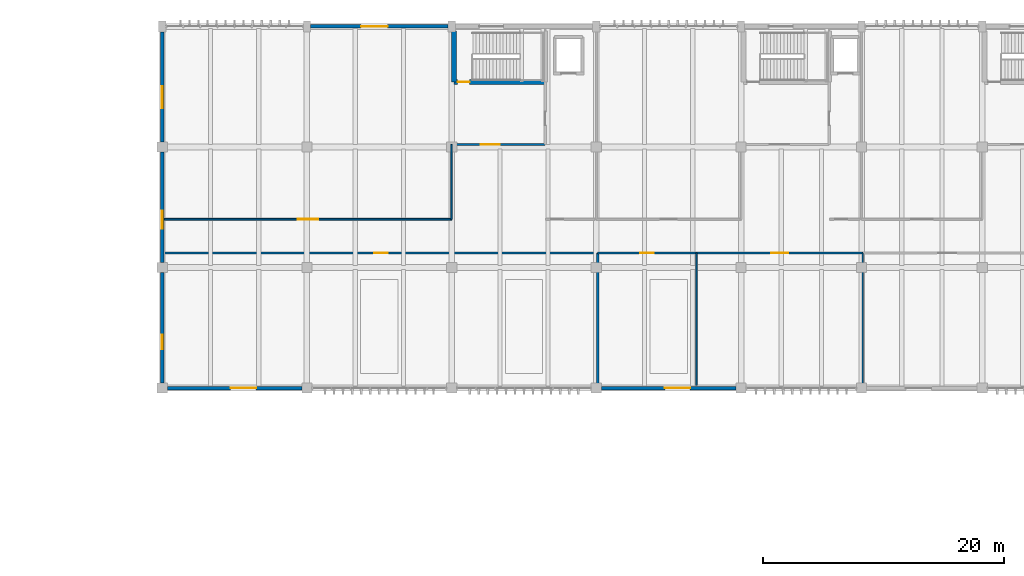
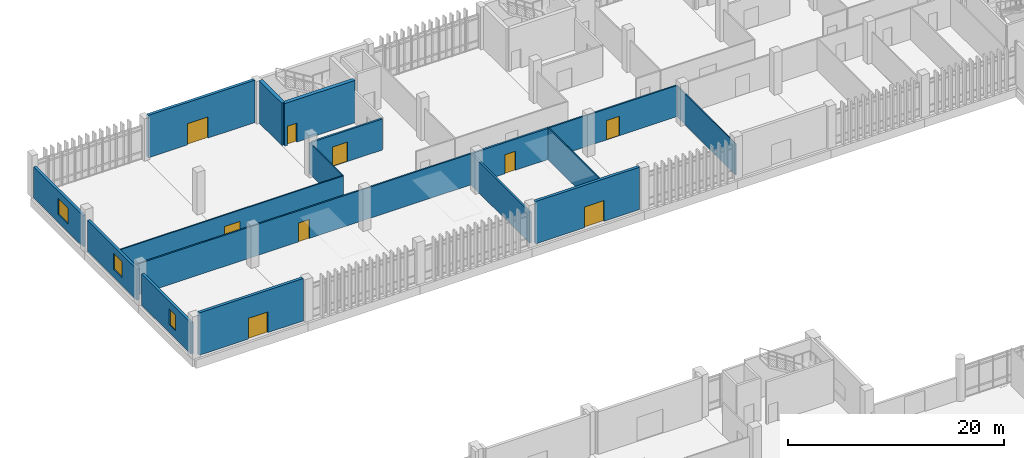
# One storey, part 73 of 87: 17 walls, 9 doors, 3 windows, 12 openings.
"""IFC4 building model written with IfcOpenShell, lengths in metres."""

from ifc_helpers import new_model, si_unit, direction, frame, frame_2d, origin, place, context, subcontext, project, spatial, rectangle, extrude, material, layer, layer_set, type_object, element, fill, save


model = new_model("IFC4")

# Units and contexts
model_context = context("Model", 3, precision=1e-05, world=origin(), true_north=direction((0.0, 1.0)))
body_context = subcontext(model_context, "Body", "Model", "MODEL_VIEW")
ifc_project = project(units=[si_unit("LENGTHUNIT", "METRE"), si_unit("AREAUNIT", "SQUARE_METRE"), si_unit("VOLUMEUNIT", "CUBIC_METRE"), si_unit("PLANEANGLEUNIT", "RADIAN"), si_unit("MASSUNIT", "GRAM", prefix="KILO")], contexts=[model_context])

# Site, building, storey
site_placement = place(None, origin())
site = spatial("IfcSite", under=ifc_project, at=site_placement, CompositionType="ELEMENT")
building_placement = place(site_placement, origin())
building = spatial("IfcBuilding", under=site, at=building_placement, Name="Mersad Railyard Sports Hall", CompositionType="ELEMENT")
storey_placement = place(building_placement, origin())
storey = spatial("IfcBuildingStorey", under=building, at=storey_placement, Name="L00", CompositionType="ELEMENT", Elevation=0.0)

# Wall, opening, door
ifc_material_1 = material(Name="Architectural concrete C40/50", Category="concrete")
ifc_layer_1 = layer(ifc_material_1, 0.300048828125)
ifc_layer_set_1 = layer_set([ifc_layer_1], Name="Architectural concrete C40/50")
wall_type_1 = type_object("IfcWallType", Name="ARC-WL-EW01", PredefinedType="SOLIDWALL", material=ifc_layer_set_1)
wall_1_placement = place(storey_placement, frame((55.300048828125, 115.0, 0.0), z_axis=(0.0, 0.0, 1.0), x_axis=(1.0, 0.0, 0.0)))
wall_1 = element("IfcWall", 1, at=wall_1_placement, inside=storey, type_object=wall_type_1, Name="External wall EW01-0097", PredefinedType="SOLIDWALL", context=body_context, shape_type="SweptSolid", body=[
    extrude(rectangle(XDim=11.39990234375, YDim=0.300048828125, at=frame_2d((5.699951171875, 0.0))), origin(), (0.0, 0.0, 1.0), 4.800048828125),
])
opening_1_placement = place(wall_1_placement, frame((4.199951171875, 0.0, 0.0)))
opening_1 = element("IfcOpeningElement", 2, at=opening_1_placement, cuts=wall_1, Name="Opening ED01", PredefinedType="OPENING", context=body_context, shape_type="SweptSolid", body=[
    extrude(rectangle(XDim=2.199951171875, YDim=2.39990234375, at=frame_2d((1.10009765625, 1.199951171875))), frame((0.0, 0.159912109375, 0.0), z_axis=(0.0, -1.0, 0.0), x_axis=(1.0, 0.0, 0.0)), (0.0, 0.0, 1.0), 0.320068359375),
])
ifc_material_2 = material(Name="Aluminium 6063-T6", Category="aluminium")
door_type_1 = type_object("IfcDoorType", Name="ARC-DR-ED01", OperationType="NOTDEFINED", PredefinedType="DOOR", material=ifc_material_2)
door_1_placement = place(opening_1_placement, origin())
door_1 = element("IfcDoor", 3, at=door_1_placement, inside=storey, type_object=door_type_1, Name="North gym exit door ED01-031", OperationType="DOUBLE_DOOR_SINGLE_SWING", OverallHeight=2.39990234375, OverallWidth=2.199951171875, PredefinedType="DOOR", context=body_context, shape_type="SweptSolid", body=[
    extrude(rectangle(XDim=2.199951171875, YDim=2.39990234375, at=frame_2d((1.10009765625, 1.199951171875))), frame((0.0, 0.02490234375, 0.0), z_axis=(0.0, -1.0, 0.0), x_axis=(1.0, 0.0, 0.0)), (0.0, 0.0, 1.0), 0.050048828125),
])
fill(opening_1, door_1)

wall_2_placement = place(storey_placement, frame((54.574951171875, 85.0, 0.0), z_axis=(0.0, 0.0, 1.0), x_axis=(-1.0, 0.0, 0.0)))
wall_2 = element("IfcWall", 4, at=wall_2_placement, inside=storey, type_object=wall_type_1, Name="External wall EW01-0103", PredefinedType="SOLIDWALL", context=body_context, shape_type="SweptSolid", body=[
    extrude(rectangle(XDim=11.14990234375, YDim=0.300048828125, at=frame_2d((5.574951171875, 0.0))), origin(), (0.0, 0.0, 1.0), 4.800048828125),
])
opening_2_placement = place(wall_2_placement, frame((3.800048828125, 0.0, 0.0)))
opening_2 = element("IfcOpeningElement", 5, at=opening_2_placement, cuts=wall_2, Name="Opening ED02", PredefinedType="OPENING", context=body_context, shape_type="SweptSolid", body=[
    extrude(rectangle(XDim=2.10009765625, YDim=2.35009765625, at=frame_2d((1.050048828125, 1.175048828125))), frame((0.0, 0.159912109375, 0.0), z_axis=(0.0, -1.0, 0.0), x_axis=(1.0, 0.0, 0.0)), (0.0, 0.0, 1.0), 0.320068359375),
])
door_type_2 = type_object("IfcDoorType", Name="ARC-DR-ED02", OperationType="NOTDEFINED", PredefinedType="DOOR", material=ifc_material_2)
door_2_placement = place(opening_2_placement, origin())
door_2 = element("IfcDoor", 6, at=door_2_placement, inside=storey, type_object=door_type_2, Name="Wing courtyard exit door ED02-037", OperationType="DOUBLE_DOOR_SINGLE_SWING", OverallHeight=2.35009765625, OverallWidth=2.10009765625, PredefinedType="DOOR", context=body_context, shape_type="SweptSolid", body=[
    extrude(rectangle(XDim=2.10009765625, YDim=2.35009765625, at=frame_2d((1.050048828125, 1.175048828125))), frame((0.0, 0.02490234375, 0.0), z_axis=(0.0, -1.0, 0.0), x_axis=(1.0, 0.0, 0.0)), (0.0, 0.0, 1.0), 0.050048828125),
])
fill(opening_2, door_2)

wall_3_placement = place(storey_placement, frame((90.574951171875, 85.0, 0.0), z_axis=(0.0, 0.0, 1.0), x_axis=(-1.0, 0.0, 0.0)))
wall_3 = element("IfcWall", 7, at=wall_3_placement, inside=storey, type_object=wall_type_1, Name="External wall EW01-0104", PredefinedType="SOLIDWALL", context=body_context, shape_type="SweptSolid", body=[
    extrude(rectangle(XDim=11.14990234375, YDim=0.300048828125, at=frame_2d((5.574951171875, 0.0))), origin(), (0.0, 0.0, 1.0), 4.800048828125),
])
opening_3_placement = place(wall_3_placement, frame((3.800048828125, 0.0, 0.0)))
opening_3 = element("IfcOpeningElement", 8, at=opening_3_placement, cuts=wall_3, Name="Opening ED02", PredefinedType="OPENING", context=body_context, shape_type="SweptSolid", body=[
    extrude(rectangle(XDim=2.10009765625, YDim=2.35009765625, at=frame_2d((1.050048828125, 1.175048828125))), frame((0.0, 0.159912109375, 0.0), z_axis=(0.0, -1.0, 0.0), x_axis=(1.0, 0.0, 0.0)), (0.0, 0.0, 1.0), 0.320068359375),
])
door_3_placement = place(opening_3_placement, origin())
door_3 = element("IfcDoor", 9, at=door_3_placement, inside=storey, type_object=door_type_2, Name="Wing courtyard exit door ED02-038", OperationType="DOUBLE_DOOR_SINGLE_SWING", OverallHeight=2.35009765625, OverallWidth=2.10009765625, PredefinedType="DOOR", context=body_context, shape_type="SweptSolid", body=[
    extrude(rectangle(XDim=2.10009765625, YDim=2.35009765625, at=frame_2d((1.050048828125, 1.175048828125))), frame((0.0, 0.02490234375, 0.0), z_axis=(0.0, -1.0, 0.0), x_axis=(1.0, 0.0, 0.0)), (0.0, 0.0, 1.0), 0.050048828125),
])
fill(opening_3, door_3)

# Wall, opening, window
ifc_material_3 = material(Name="Precast concrete C45/55", Category="concrete")
ifc_layer_2 = layer(ifc_material_3, 0.280029296875)
ifc_layer_set_2 = layer_set([ifc_layer_2], Name="Precast concrete C45/55")
wall_type_2 = type_object("IfcWallType", Name="ARC-WL-EW03", PredefinedType="SOLIDWALL", material=ifc_layer_set_2)
wall_4_placement = place(storey_placement, frame((43.0, 85.425048828125, 0.0), z_axis=(0.0, 0.0, 1.0), x_axis=(0.0, 1.0, 0.0)))
wall_4 = element("IfcWall", 10, at=wall_4_placement, inside=storey, type_object=wall_type_2, Name="External wall EW03-0106", PredefinedType="SOLIDWALL", context=body_context, shape_type="SweptSolid", body=[
    extrude(rectangle(XDim=9.14990234375, YDim=0.280029296875, at=frame_2d((4.574951171875, 0.0))), origin(), (0.0, 0.0, 1.0), 3.52490234375),
])
opening_4_placement = place(wall_4_placement, frame((2.800048828125, 0.0, 0.89990234375)))
opening_4 = element("IfcOpeningElement", 11, at=opening_4_placement, cuts=wall_4, Name="Opening W09", PredefinedType="OPENING", context=body_context, shape_type="SweptSolid", body=[
    extrude(rectangle(XDim=1.199951171875, YDim=1.800048828125, at=frame_2d((0.60009765625, 0.89990234375))), frame((0.0, 0.14990234375, 0.0), z_axis=(0.0, -1.0, 0.0), x_axis=(1.0, 0.0, 0.0)), (0.0, 0.0, 1.0), 0.300048828125),
])
ifc_material_4 = material(Name="Solar-control glass", Category="glass")
window_type_1 = type_object("IfcWindowType", Name="ARC-WN-W09", PartitioningType="SINGLE_PANEL", PredefinedType="WINDOW", material=ifc_material_4)
window_1_placement = place(opening_4_placement, origin())
window_1 = element("IfcWindow", 12, at=window_1_placement, inside=storey, type_object=window_type_1, Name="Window W09-0023", OverallHeight=1.800048828125, OverallWidth=1.199951171875, PartitioningType="SINGLE_PANEL", PredefinedType="WINDOW", context=body_context, shape_type="SweptSolid", body=[
    extrude(rectangle(XDim=1.199951171875, YDim=1.800048828125, at=frame_2d((0.60009765625, 0.89990234375))), frame((0.0, 0.030029296875, 0.0), z_axis=(0.0, -1.0, 0.0), x_axis=(1.0, 0.0, 0.0)), (0.0, 0.0, 1.0), 0.06005859375),
])
fill(opening_4, window_1)

wall_5_placement = place(storey_placement, frame((43.0, 95.425048828125, 0.0), z_axis=(0.0, 0.0, 1.0), x_axis=(0.0, 1.0, 0.0)))
wall_5 = element("IfcWall", 13, at=wall_5_placement, inside=storey, type_object=wall_type_2, Name="External wall EW03-0107", PredefinedType="SOLIDWALL", context=body_context, shape_type="SweptSolid", body=[
    extrude(rectangle(XDim=9.14990234375, YDim=0.280029296875, at=frame_2d((4.574951171875, 0.0))), origin(), (0.0, 0.0, 1.0), 3.52490234375),
])
opening_5_placement = place(wall_5_placement, frame((2.800048828125, 0.0, 0.89990234375)))
opening_5 = element("IfcOpeningElement", 14, at=opening_5_placement, cuts=wall_5, Name="Opening W10", PredefinedType="OPENING", context=body_context, shape_type="SweptSolid", body=[
    extrude(rectangle(XDim=1.5, YDim=1.800048828125, at=frame_2d((0.75, 0.89990234375))), frame((0.0, 0.14990234375, 0.0), z_axis=(0.0, -1.0, 0.0), x_axis=(1.0, 0.0, 0.0)), (0.0, 0.0, 1.0), 0.300048828125),
])
window_type_2 = type_object("IfcWindowType", Name="ARC-WN-W10", PartitioningType="SINGLE_PANEL", PredefinedType="WINDOW", material=ifc_material_4)
window_2_placement = place(opening_5_placement, origin())
window_2 = element("IfcWindow", 15, at=window_2_placement, inside=storey, type_object=window_type_2, Name="Window W10-0024", OverallHeight=1.800048828125, OverallWidth=1.5, PartitioningType="SINGLE_PANEL", PredefinedType="WINDOW", context=body_context, shape_type="SweptSolid", body=[
    extrude(rectangle(XDim=1.5, YDim=1.800048828125, at=frame_2d((0.75, 0.89990234375))), frame((0.0, 0.030029296875, 0.0), z_axis=(0.0, -1.0, 0.0), x_axis=(1.0, 0.0, 0.0)), (0.0, 0.0, 1.0), 0.06005859375),
])
fill(opening_5, window_2)

wall_6_placement = place(storey_placement, frame((43.0, 105.425048828125, 0.0), z_axis=(0.0, 0.0, 1.0), x_axis=(0.0, 1.0, 0.0)))
wall_6 = element("IfcWall", 16, at=wall_6_placement, inside=storey, type_object=wall_type_2, Name="External wall EW03-0108", PredefinedType="SOLIDWALL", context=body_context, shape_type="SweptSolid", body=[
    extrude(rectangle(XDim=9.125, YDim=0.280029296875, at=frame_2d((4.5625, 0.0))), origin(), (0.0, 0.0, 1.0), 3.52490234375),
])
opening_6_placement = place(wall_6_placement, frame((2.800048828125, 0.0, 0.89990234375)))
opening_6 = element("IfcOpeningElement", 17, at=opening_6_placement, cuts=wall_6, Name="Opening W11", PredefinedType="OPENING", context=body_context, shape_type="SweptSolid", body=[
    extrude(rectangle(XDim=1.800048828125, YDim=1.800048828125, at=frame_2d((0.89990234375, 0.89990234375))), frame((0.0, 0.14990234375, 0.0), z_axis=(0.0, -1.0, 0.0), x_axis=(1.0, 0.0, 0.0)), (0.0, 0.0, 1.0), 0.300048828125),
])
window_type_3 = type_object("IfcWindowType", Name="ARC-WN-W11", PartitioningType="DOUBLE_PANEL_VERTICAL", PredefinedType="WINDOW", material=ifc_material_4)
window_3_placement = place(opening_6_placement, origin())
window_3 = element("IfcWindow", 18, at=window_3_placement, inside=storey, type_object=window_type_3, Name="Window W11-0025", OverallHeight=1.800048828125, OverallWidth=1.800048828125, PartitioningType="DOUBLE_PANEL_VERTICAL", PredefinedType="WINDOW", context=body_context, shape_type="SweptSolid", body=[
    extrude(rectangle(XDim=1.800048828125, YDim=1.800048828125, at=frame_2d((0.89990234375, 0.89990234375))), frame((0.0, 0.030029296875, 0.0), z_axis=(0.0, -1.0, 0.0), x_axis=(1.0, 0.0, 0.0)), (0.0, 0.0, 1.0), 0.06005859375),
])
fill(opening_6, window_3)

# Wall, opening, door
ifc_layer_3 = layer(ifc_material_3, 0.199951171875)
ifc_layer_set_3 = layer_set([ifc_layer_3], Name="Precast concrete C45/55")
wall_type_3 = type_object("IfcWallType", Name="ARC-WL-PT01", PredefinedType="PARTITIONING", material=ifc_layer_set_3)
wall_7_placement = place(storey_placement, frame((67.199951171875, 105.199951171875, 0.0), z_axis=(0.0, 0.0, 1.0), x_axis=(1.0, 0.0, 0.0)))
wall_7 = element("IfcWall", 19, at=wall_7_placement, inside=storey, type_object=wall_type_3, Name="Interior wall PT01-0160", PredefinedType="PARTITIONING", context=body_context, shape_type="SweptSolid", body=[
    extrude(rectangle(XDim=7.550048828125, YDim=0.199951171875, at=frame_2d((3.77490234375, 0.0))), origin(), (0.0, 0.0, 1.0), 3.52490234375),
])
opening_7_placement = place(wall_7_placement, frame((2.199951171875, 0.0, 0.0)))
opening_7 = element("IfcOpeningElement", 20, at=opening_7_placement, cuts=wall_7, Name="Opening FD04", PredefinedType="OPENING", context=body_context, shape_type="SweptSolid", body=[
    extrude(rectangle(XDim=1.60009765625, YDim=2.199951171875, at=frame_2d((0.800048828125, 1.10009765625))), frame((0.0, 0.10986328125, 0.0), z_axis=(0.0, -1.0, 0.0), x_axis=(1.0, 0.0, 0.0)), (0.0, 0.0, 1.0), 0.219970703125),
])
ifc_material_5 = material(Name="Steel S355", Category="steel")
door_type_3 = type_object("IfcDoorType", Name="ARC-DR-FD04", OperationType="NOTDEFINED", PredefinedType="DOOR", material=ifc_material_5)
door_4_placement = place(opening_7_placement, origin())
door_4 = element("IfcDoor", 21, at=door_4_placement, inside=storey, type_object=door_type_3, Name="C1 firefighting lobby door FD04-0046", OperationType="DOUBLE_DOOR_SINGLE_SWING", OverallHeight=2.199951171875, OverallWidth=1.60009765625, PredefinedType="DOOR", context=body_context, shape_type="SweptSolid", body=[
    extrude(rectangle(XDim=1.60009765625, YDim=2.199951171875, at=frame_2d((0.800048828125, 1.10009765625))), frame((0.0, 0.02490234375, 0.0), z_axis=(0.0, -1.0, 0.0), x_axis=(1.0, 0.0, 0.0)), (0.0, 0.0, 1.0), 0.050048828125),
])
fill(opening_7, door_4)

wall_8_placement = place(storey_placement, frame((79.10009765625, 96.199951171875, 0.0), z_axis=(0.0, 0.0, 1.0), x_axis=(1.0, 0.0, 0.0)))
wall_8 = element("IfcWall", 22, at=wall_8_placement, inside=storey, type_object=wall_type_3, Name="Interior wall PT01-0405", PredefinedType="PARTITIONING", context=body_context, shape_type="SweptSolid", body=[
    extrude(rectangle(XDim=8.199951171875, YDim=0.199951171875, at=frame_2d((4.10009765625, 0.0))), origin(), (0.0, 0.0, 1.0), 3.52490234375),
])
opening_8_placement = place(wall_8_placement, frame((3.550048828125, 0.0, 0.0)))
opening_8 = element("IfcOpeningElement", 23, at=opening_8_placement, cuts=wall_8, Name="Opening FD01", PredefinedType="OPENING", context=body_context, shape_type="SweptSolid", body=[
    extrude(rectangle(XDim=1.10009765625, YDim=2.14990234375, at=frame_2d((0.550048828125, 1.074951171875))), frame((0.0, 0.10986328125, 0.0), z_axis=(0.0, -1.0, 0.0), x_axis=(1.0, 0.0, 0.0)), (0.0, 0.0, 1.0), 0.219970703125),
])
door_type_4 = type_object("IfcDoorType", Name="ARC-DR-FD01", OperationType="NOTDEFINED", PredefinedType="DOOR", material=ifc_material_5)
door_5_placement = place(opening_8_placement, origin())
door_5 = element("IfcDoor", 24, at=door_5_placement, inside=storey, type_object=door_type_4, Name="L00 south room door FD01-0182", OperationType="SINGLE_SWING_LEFT", OverallHeight=2.14990234375, OverallWidth=1.10009765625, PredefinedType="DOOR", context=body_context, shape_type="SweptSolid", body=[
    extrude(rectangle(XDim=1.10009765625, YDim=2.14990234375, at=frame_2d((0.550048828125, 1.074951171875))), frame((0.0, 0.02490234375, 0.0), z_axis=(0.0, -1.0, 0.0), x_axis=(1.0, 0.0, 0.0)), (0.0, 0.0, 1.0), 0.050048828125),
])
fill(opening_8, door_5)

# Wall
wall_9_placement = place(storey_placement, frame((79.10009765625, 85.219970703125, 0.0), z_axis=(0.0, 0.0, 1.0), x_axis=(0.0, 1.0, 0.0)))
element("IfcWall", 25, at=wall_9_placement, inside=storey, type_object=wall_type_3, Name="Interior wall PT01-0406", PredefinedType="PARTITIONING", context=body_context, shape_type="SweptSolid", body=[
    extrude(rectangle(XDim=10.97998046875, YDim=0.199951171875, at=frame_2d((5.489990234375, 0.0))), origin(), (0.0, 0.0, 1.0), 3.52490234375),
])

# Wall, opening, door
ifc_material_6 = material(Name="Gypsum plasterboard", Category="gypsum")
ifc_layer_4 = layer(ifc_material_6, 0.159912109375)
ifc_layer_set_4 = layer_set([ifc_layer_4], Name="Gypsum plasterboard")
wall_type_4 = type_object("IfcWallType", Name="ARC-WL-PT02", PredefinedType="PARTITIONING", material=ifc_layer_set_4)
wall_10_placement = place(storey_placement, frame((43.179931640625, 96.199951171875, 0.0), z_axis=(0.0, 0.0, 1.0), x_axis=(1.0, 0.0, 0.0)))
wall_10 = element("IfcWall", 26, at=wall_10_placement, inside=storey, type_object=wall_type_4, Name="Interior wall PT02-0404", PredefinedType="PARTITIONING", context=body_context, shape_type="SweptSolid", body=[
    extrude(rectangle(XDim=35.920166015625, YDim=0.159912109375, at=frame_2d((17.9599609375, 0.0))), origin(), (0.0, 0.0, 1.0), 3.52490234375),
])
opening_9_placement = place(wall_10_placement, frame((17.385009765625, 0.0, 0.0)))
opening_9 = element("IfcOpeningElement", 27, at=opening_9_placement, cuts=wall_10, Name="Opening FD08", PredefinedType="OPENING", context=body_context, shape_type="SweptSolid", body=[
    extrude(rectangle(XDim=1.14990234375, YDim=2.14990234375, at=frame_2d((0.574951171875, 1.074951171875))), frame((0.0, 0.08984375, 0.0), z_axis=(0.0, -1.0, 0.0), x_axis=(1.0, 0.0, 0.0)), (0.0, 0.0, 1.0), 0.179931640625),
])
door_type_5 = type_object("IfcDoorType", Name="ARC-DR-FD08", OperationType="NOTDEFINED", PredefinedType="DOOR", material=ifc_material_5)
door_6_placement = place(opening_9_placement, origin())
door_6 = element("IfcDoor", 28, at=door_6_placement, inside=storey, type_object=door_type_5, Name="L00 south room door FD08-0181", OperationType="SINGLE_SWING_RIGHT", OverallHeight=2.14990234375, OverallWidth=1.14990234375, PredefinedType="DOOR", context=body_context, shape_type="SweptSolid", body=[
    extrude(rectangle(XDim=1.14990234375, YDim=2.14990234375, at=frame_2d((0.574951171875, 1.074951171875))), frame((0.0, 0.02490234375, 0.0), z_axis=(0.0, -1.0, 0.0), x_axis=(1.0, 0.0, 0.0)), (0.0, 0.0, 1.0), 0.050048828125),
])
fill(opening_9, door_6)

wall_11_placement = place(storey_placement, frame((87.300048828125, 96.199951171875, 0.0), z_axis=(0.0, 0.0, 1.0), x_axis=(1.0, 0.0, 0.0)))
wall_11 = element("IfcWall", 29, at=wall_11_placement, inside=storey, type_object=wall_type_4, Name="Interior wall PT02-0407", PredefinedType="PARTITIONING", context=body_context, shape_type="SweptSolid", body=[
    extrude(rectangle(XDim=13.800048828125, YDim=0.159912109375, at=frame_2d((6.89990234375, 0.0))), origin(), (0.0, 0.0, 1.0), 3.52490234375),
])
opening_10_placement = place(wall_11_placement, frame((6.199951171875, 0.0, 0.0)))
opening_10 = element("IfcOpeningElement", 30, at=opening_10_placement, cuts=wall_11, Name="Opening FD09", PredefinedType="OPENING", context=body_context, shape_type="SweptSolid", body=[
    extrude(rectangle(XDim=1.39990234375, YDim=2.199951171875, at=frame_2d((0.699951171875, 1.10009765625))), frame((0.0, 0.08984375, 0.0), z_axis=(0.0, -1.0, 0.0), x_axis=(1.0, 0.0, 0.0)), (0.0, 0.0, 1.0), 0.179931640625),
])
door_type_6 = type_object("IfcDoorType", Name="ARC-DR-FD09", OperationType="NOTDEFINED", PredefinedType="DOOR", material=ifc_material_5)
door_7_placement = place(opening_10_placement, origin())
door_7 = element("IfcDoor", 31, at=door_7_placement, inside=storey, type_object=door_type_6, Name="L00 south room door FD09-0183", OperationType="SINGLE_SWING_RIGHT", OverallHeight=2.199951171875, OverallWidth=1.39990234375, PredefinedType="DOOR", context=body_context, shape_type="SweptSolid", body=[
    extrude(rectangle(XDim=1.39990234375, YDim=2.199951171875, at=frame_2d((0.699951171875, 1.10009765625))), frame((0.0, 0.02490234375, 0.0), z_axis=(0.0, -1.0, 0.0), x_axis=(1.0, 0.0, 0.0)), (0.0, 0.0, 1.0), 0.050048828125),
])
fill(opening_10, door_7)

ifc_layer_5 = layer(ifc_material_6, 0.139892578125)
ifc_layer_set_5 = layer_set([ifc_layer_5], Name="Gypsum plasterboard")
wall_type_5 = type_object("IfcWallType", Name="ARC-WL-PT03", PredefinedType="PARTITIONING", material=ifc_layer_set_5)
wall_12_placement = place(storey_placement, frame((43.179931640625, 99.0, 0.0), z_axis=(0.0, 0.0, 1.0), x_axis=(1.0, 0.0, 0.0)))
wall_12 = element("IfcWall", 32, at=wall_12_placement, inside=storey, type_object=wall_type_5, Name="Interior wall PT03-0418", PredefinedType="PARTITIONING", context=body_context, shape_type="SweptSolid", body=[
    extrude(rectangle(XDim=23.820068359375, YDim=0.139892578125, at=frame_2d((11.91015625, 0.0))), origin(), (0.0, 0.0, 1.0), 3.52490234375),
])
opening_11_placement = place(wall_12_placement, frame((11.06005859375, 0.0, 0.0)))
opening_11 = element("IfcOpeningElement", 33, at=opening_11_placement, cuts=wall_12, Name="Opening FD11", PredefinedType="OPENING", context=body_context, shape_type="SweptSolid", body=[
    extrude(rectangle(XDim=1.699951171875, YDim=2.25, at=frame_2d((0.85009765625, 1.125))), frame((0.0, 0.079833984375, 0.0), z_axis=(0.0, -1.0, 0.0), x_axis=(1.0, 0.0, 0.0)), (0.0, 0.0, 1.0), 0.159912109375),
])
door_type_7 = type_object("IfcDoorType", Name="ARC-DR-FD11", OperationType="NOTDEFINED", PredefinedType="DOOR", material=ifc_material_5)
door_8_placement = place(opening_11_placement, origin())
door_8 = element("IfcDoor", 34, at=door_8_placement, inside=storey, type_object=door_type_7, Name="L00 north room door FD11-0188", OperationType="DOUBLE_DOOR_SINGLE_SWING", OverallHeight=2.25, OverallWidth=1.699951171875, PredefinedType="DOOR", context=body_context, shape_type="SweptSolid", body=[
    extrude(rectangle(XDim=1.699951171875, YDim=2.25, at=frame_2d((0.85009765625, 1.125))), frame((0.0, 0.02490234375, 0.0), z_axis=(0.0, -1.0, 0.0), x_axis=(1.0, 0.0, 0.0)), (0.0, 0.0, 1.0), 0.050048828125),
])
fill(opening_11, door_8)

# Walls
ifc_layer_6 = layer(ifc_material_6, 0.1201171875)
ifc_layer_set_6 = layer_set([ifc_layer_6], Name="Gypsum plasterboard")
wall_type_6 = type_object("IfcWallType", Name="ARC-WL-PT04", PredefinedType="PARTITIONING", material=ifc_layer_set_6)
wall_13_placement = place(storey_placement, frame((87.300048828125, 85.219970703125, 0.0), z_axis=(0.0, 0.0, 1.0), x_axis=(0.0, 1.0, 0.0)))
element("IfcWall", 35, at=wall_13_placement, inside=storey, type_object=wall_type_6, Name="Interior wall PT04-0408", PredefinedType="PARTITIONING", context=body_context, shape_type="SweptSolid", body=[
    extrude(rectangle(XDim=10.97998046875, YDim=0.1201171875, at=frame_2d((5.489990234375, 0.0))), origin(), (0.0, 0.0, 1.0), 3.625),
])
wall_14_placement = place(storey_placement, frame((67.0, 99.0, 0.0), z_axis=(0.0, 0.0, 1.0), x_axis=(0.0, 1.0, 0.0)))
element("IfcWall", 36, at=wall_14_placement, inside=storey, type_object=wall_type_6, Name="Interior wall PT04-0419", PredefinedType="PARTITIONING", context=body_context, shape_type="SweptSolid", body=[
    extrude(rectangle(XDim=6.199951171875, YDim=0.1201171875, at=frame_2d((3.10009765625, 0.0))), origin(), (0.0, 0.0, 1.0), 3.52490234375),
])
ifc_layer_7 = layer(ifc_material_6, 0.10009765625)
ifc_layer_set_7 = layer_set([ifc_layer_7], Name="Gypsum plasterboard")
wall_type_7 = type_object("IfcWallType", Name="ARC-WL-PT05", PredefinedType="PARTITIONING", material=ifc_layer_set_7)
wall_15_placement = place(storey_placement, frame((101.10009765625, 85.219970703125, 0.0), z_axis=(0.0, 0.0, 1.0), x_axis=(0.0, 1.0, 0.0)))
element("IfcWall", 37, at=wall_15_placement, inside=storey, type_object=wall_type_7, Name="Interior wall PT05-0410", PredefinedType="PARTITIONING", context=body_context, shape_type="SweptSolid", body=[
    extrude(rectangle(XDim=10.97998046875, YDim=0.10009765625, at=frame_2d((5.489990234375, 0.0))), origin(), (0.0, 0.0, 1.0), 3.52490234375),
])

# Wall, opening, door
ifc_material_7 = material(Name="Concrete C50/60", Category="concrete")
ifc_layer_8 = layer(ifc_material_7, 0.39990234375)
ifc_layer_set_8 = layer_set([ifc_layer_8], Name="Concrete C50/60")
wall_type_8 = type_object("IfcWallType", Name="STR-WL-SW01", PredefinedType="SHEAR", material=ifc_layer_set_8)
wall_16_placement = place(storey_placement, frame((67.199951171875, 110.3798828125, 0.0), z_axis=(0.0, 0.0, 1.0), x_axis=(1.0, 0.0, 0.0)))
wall_16 = element("IfcWall", 38, at=wall_16_placement, inside=storey, type_object=wall_type_8, Name="Interior wall SW01-0157", PredefinedType="SHEAR", context=body_context, shape_type="SweptSolid", body=[
    extrude(rectangle(XDim=7.550048828125, YDim=0.39990234375, at=frame_2d((3.77490234375, 0.0))), origin(), (0.0, 0.0, 1.0), 4.800048828125),
])
opening_12_placement = place(wall_16_placement, frame((0.300048828125, 0.0, 0.0)))
opening_12 = element("IfcOpeningElement", 39, at=opening_12_placement, cuts=wall_16, Name="Opening FD02", PredefinedType="OPENING", context=body_context, shape_type="SweptSolid", body=[
    extrude(rectangle(XDim=1.0, YDim=2.14990234375, at=frame_2d((0.5, 1.074951171875))), frame((0.0, 0.2099609375, 0.0), z_axis=(0.0, -1.0, 0.0), x_axis=(1.0, 0.0, 0.0)), (0.0, 0.0, 1.0), 0.419921875),
])
door_type_8 = type_object("IfcDoorType", Name="ARC-DR-FD02", OperationType="NOTDEFINED", PredefinedType="DOOR", material=ifc_material_5)
door_9_placement = place(opening_12_placement, origin())
door_9 = element("IfcDoor", 40, at=door_9_placement, inside=storey, type_object=door_type_8, Name="C1 stair entrance door FD02-0045", OperationType="SINGLE_SWING_RIGHT", OverallHeight=2.14990234375, OverallWidth=1.0, PredefinedType="DOOR", context=body_context, shape_type="SweptSolid", body=[
    extrude(rectangle(XDim=1.0, YDim=2.14990234375, at=frame_2d((0.5, 1.074951171875))), frame((0.0, 0.02490234375, 0.0), z_axis=(0.0, -1.0, 0.0), x_axis=(1.0, 0.0, 0.0)), (0.0, 0.0, 1.0), 0.050048828125),
])
fill(opening_12, door_9)

# Wall
wall_17_placement = place(storey_placement, frame((67.199951171875, 114.6201171875, 0.0), z_axis=(0.0, 0.0, 1.0), x_axis=(0.0, -1.0, 0.0)))
element("IfcWall", 41, at=wall_17_placement, inside=storey, type_object=wall_type_8, Name="Interior wall SW01-0159", PredefinedType="SHEAR", context=body_context, shape_type="SweptSolid", body=[
    extrude(rectangle(XDim=4.240234375, YDim=0.39990234375, at=frame_2d((2.1201171875, 0.0))), origin(), (0.0, 0.0, 1.0), 4.800048828125),
])

save(model, "model.ifc")
